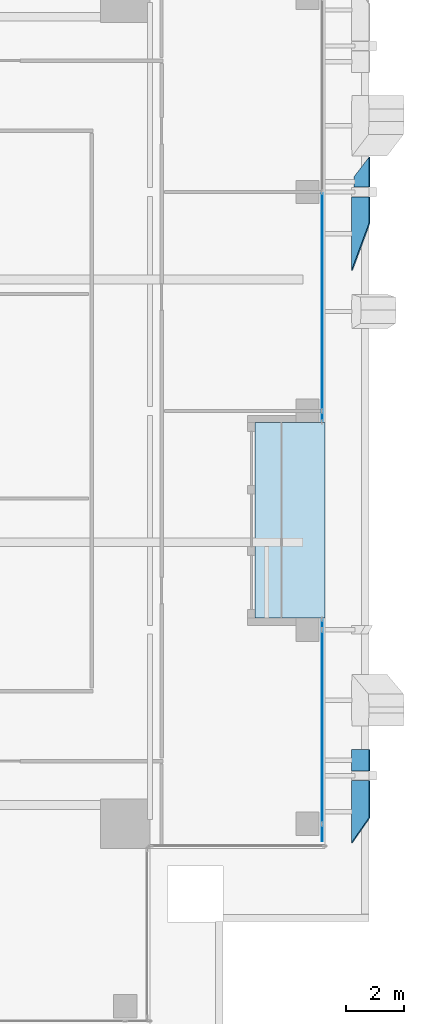
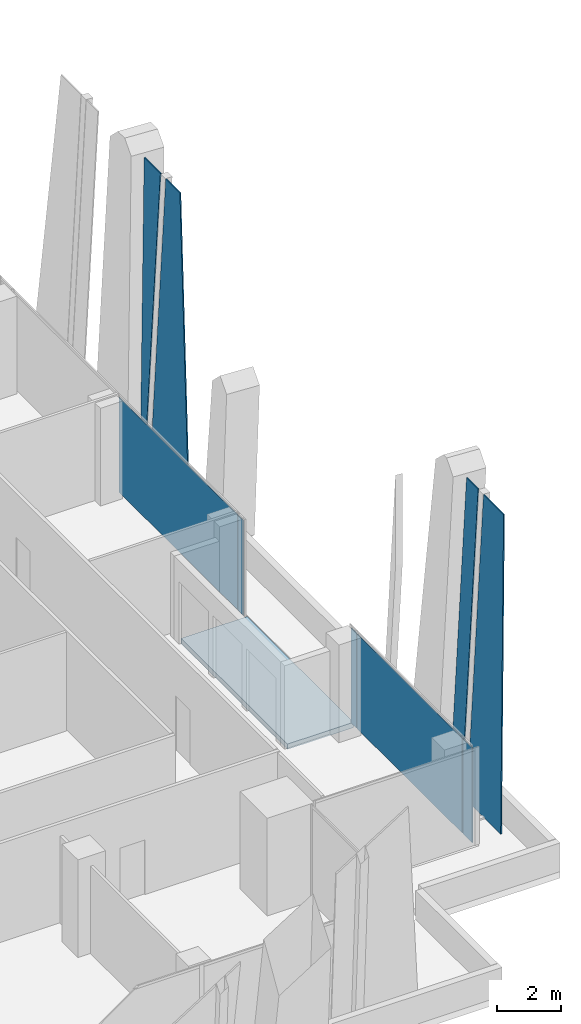
# One storey, part 22 of 32: 9 plates, 1 slab, 2 elements without a shape of their own.
"""IFC4 building model written with IfcOpenShell, lengths in metres."""

import ifcopenshell
import ifcopenshell.guid

model = None  # the IFC model being written
_history = None  # IfcOwnerHistory: only IFC2X3 demands one
_inside = {}  # id of a spatial element -> (the spatial element, [elements in it])
_under = {}  # id of a project, library or spatial element -> (it, [spatial elements below it])
_declared = {}  # id of a project -> (the project, [libraries it declares])
_typed = {}  # id of a type object -> (the type object, [elements of that type])
_made_of = {}  # id of a material, layer set ... -> (it, [elements and type objects made of it])


def new_model(schema):
    """Start an empty IFC model of exactly this schema.

    Asked for "IFC4X3", IfcOpenShell would pick the latest addendum, in which some entities
    have other attributes; the version numbers below select the first issue.
    IFC2X3 requires an IfcOwnerHistory on every rooted entity: one is made here for all.
    """
    global model, _history
    if schema == "IFC4X3":
        model = ifcopenshell.file(schema_version=(4, 3, 0, 0))
    else:
        model = ifcopenshell.file(schema=schema)
    _inside.clear()
    _under.clear()
    _declared.clear()
    _typed.clear()
    _made_of.clear()
    _history = None
    if model.schema == "IFC2X3":
        org = make("IfcOrganization", Name="unknown")
        user = make(
            "IfcPersonAndOrganization",
            ThePerson=make("IfcPerson", FamilyName="unknown"),
            TheOrganization=org,
        )
        app = make(
            "IfcApplication",
            ApplicationDeveloper=org,
            Version="unknown",
            ApplicationFullName="unknown",
            ApplicationIdentifier="unknown",
        )
        _history = make(
            "IfcOwnerHistory",
            OwningUser=user,
            OwningApplication=app,
            ChangeAction="ADDED",
            CreationDate=0,
        )
    return model


def make(cls, **values):
    """One entity of the class cls with the attributes given. An attribute that is None is left unset."""
    return model.create_entity(
        cls, **{name: value for name, value in values.items() if value is not None}
    )


def rooted(cls, **values):
    """An entity with a GlobalId (a new one), such as an element, a storey or a relation."""
    return make(cls, GlobalId=ifcopenshell.guid.new(), OwnerHistory=_history, **values)


def si_unit(unit_type, name, prefix=None):
    """IfcSIUnit, for example si_unit("LENGTHUNIT", "METRE", prefix="MILLI")."""
    return make("IfcSIUnit", UnitType=unit_type, Prefix=prefix, Name=name)


def assignment(units):
    """IfcUnitAssignment: the units of a project."""
    return None if units is None else make("IfcUnitAssignment", Units=units)


def point(xyz):
    """IfcCartesianPoint."""
    return None if xyz is None else make("IfcCartesianPoint", Coordinates=xyz)


def direction(xyz):
    """IfcDirection."""
    return None if xyz is None else make("IfcDirection", DirectionRatios=xyz)


def frame(location, z_axis=None, x_axis=None):
    """IfcAxis2Placement3D, a coordinate frame: its origin and axes. An axis left out is left unset."""
    return make(
        "IfcAxis2Placement3D",
        Location=point(location),
        Axis=direction(z_axis),
        RefDirection=direction(x_axis),
    )


def frame_2d(location, x_axis=None):
    """IfcAxis2Placement2D, a coordinate frame in the plane: its origin and x axis."""
    return make(
        "IfcAxis2Placement2D", Location=point(location), RefDirection=direction(x_axis)
    )


def origin():
    """The frame at (0, 0, 0) with its axes left unset."""
    return frame((0.0, 0.0, 0.0))


def origin_2d():
    """The frame at (0, 0) in the plane with its x axis left unset."""
    return frame_2d((0.0, 0.0))


def place(relative_to, where):
    """IfcLocalPlacement: puts the frame where relative to a parent placement (None: the world)."""
    return make(
        "IfcLocalPlacement", PlacementRelTo=relative_to, RelativePlacement=where
    )


def context(
    kind, dimensions, precision=None, world=None, true_north=None, identifier=None
):
    """IfcGeometricRepresentationContext, for example the 3D "Model" context."""
    return make(
        "IfcGeometricRepresentationContext",
        ContextIdentifier=identifier,
        ContextType=kind,
        CoordinateSpaceDimension=dimensions,
        Precision=precision,
        WorldCoordinateSystem=world,
        TrueNorth=true_north,
    )


def subcontext(parent, identifier, kind, view, scale=None):
    """IfcGeometricRepresentationSubContext, for example "Body" below "Model"."""
    return make(
        "IfcGeometricRepresentationSubContext",
        ContextIdentifier=identifier,
        ContextType=kind,
        ParentContext=parent,
        TargetScale=scale,
        TargetView=view,
    )


def project(units=None, contexts=None):
    """IfcProject with its units and contexts."""
    return rooted(
        "IfcProject",
        Name="project",
        RepresentationContexts=contexts,
        UnitsInContext=assignment(units),
    )


def spatial(cls, under=None, at=None, **own):
    """A site, building, storey or space (cls), placed at a placement, below another one or the project."""
    s = rooted(cls, ObjectPlacement=at, **own)
    if under is not None:
        _under.setdefault(under.id(), (under, []))[1].append(s)
    return s


def polyline(points):
    """IfcPolyline through the points."""
    return make("IfcPolyline", Points=[point(p) for p in points])


def profile(cls, at=None, kind="AREA", **sizes):
    """A parametric profile (cls). Its sizes go by their IFC names, for example OverallWidth=200.0."""
    return make(cls, ProfileType=kind, Position=at, **sizes)


def rectangle(**sizes):
    """IfcRectangleProfileDef."""
    return profile("IfcRectangleProfileDef", **sizes)


def outline(outer, holes=None, kind="AREA"):
    """IfcArbitraryClosedProfileDef: a profile drawn as a closed curve; with holes, ...WithVoids."""
    if holes is None:
        return make("IfcArbitraryClosedProfileDef", ProfileType=kind, OuterCurve=outer)
    return make(
        "IfcArbitraryProfileDefWithVoids",
        ProfileType=kind,
        OuterCurve=outer,
        InnerCurves=holes,
    )


def extrude(swept, where, along, depth):
    """IfcExtrudedAreaSolid: the profile swept, set in the frame where, extruded along a direction by depth."""
    return make(
        "IfcExtrudedAreaSolid",
        SweptArea=swept,
        Position=where,
        ExtrudedDirection=direction(along),
        Depth=depth,
    )


def shape(context_of_items, identifier, shape_type, items):
    """IfcShapeRepresentation: the items that make up one representation, for example the "Body"."""
    return make(
        "IfcShapeRepresentation",
        ContextOfItems=context_of_items,
        RepresentationIdentifier=identifier,
        RepresentationType=shape_type,
        Items=items,
    )


def source(mapping_origin, context_of_items, identifier, shape_type, items):
    """IfcRepresentationMap: a shape defined once, which mapped items show again and again."""
    return make(
        "IfcRepresentationMap",
        MappingOrigin=mapping_origin,
        MappedRepresentation=shape(context_of_items, identifier, shape_type, items),
    )


def transform(
    local_origin,
    x_axis=None,
    y_axis=None,
    z_axis=None,
    scale=None,
    scale2=None,
    scale3=None,
    uniform=True,
):
    """IfcCartesianTransformationOperator3D, or its non-uniform kind. x_axis, y_axis, z_axis: its Axis1, 2, 3."""
    if uniform:
        return make(
            "IfcCartesianTransformationOperator3D",
            Axis1=direction(x_axis),
            Axis2=direction(y_axis),
            LocalOrigin=point(local_origin),
            Scale=scale,
            Axis3=direction(z_axis),
        )
    return make(
        "IfcCartesianTransformationOperator3DnonUniform",
        Axis1=direction(x_axis),
        Axis2=direction(y_axis),
        LocalOrigin=point(local_origin),
        Scale=scale,
        Axis3=direction(z_axis),
        Scale2=scale2,
        Scale3=scale3,
    )


def mapped(mapping_source, mapping_target):
    """IfcMappedItem: shows the shape of a source again, moved by a transform."""
    return make(
        "IfcMappedItem", MappingSource=mapping_source, MappingTarget=mapping_target
    )


def material(Name=None, Category=None):
    """IfcMaterial."""
    return make("IfcMaterial", Name=Name, Category=Category)


def layer(
    of_material, thickness, ventilated=None, Name=None, Category=None, Priority=None
):
    """IfcMaterialLayer: one layer of a wall or slab, of a material (None: an air gap)."""
    return make(
        "IfcMaterialLayer",
        Material=of_material,
        LayerThickness=thickness,
        IsVentilated=ventilated,
        Name=Name,
        Category=Category,
        Priority=Priority,
    )


def layer_set(layers, Name=None):
    """IfcMaterialLayerSet."""
    return make("IfcMaterialLayerSet", MaterialLayers=layers, LayerSetName=Name)


def made_of(thing, what):
    """Note that an element or type object is made of a material, layer set ...; save() writes the relation."""
    if what is not None:
        _made_of.setdefault(what.id(), (what, []))[1].append(thing)
    return thing


def type_object(cls, material=None, **own):
    """A type object (cls), such as IfcWallType, which elements share."""
    return made_of(rooted(cls, **own), material)


def element(
    cls,
    number,
    at=None,
    inside=None,
    cuts=None,
    type_object=None,
    material=None,
    context=None,
    identifier="Body",
    shape_type=None,
    held_by="IfcProductDefinitionShape",
    body=None,
    shapes=None,
    **own,
):
    """One element of the class cls, such as IfcWall. Its Tag is "e" and its number.

    at: its placement. inside: the storey or other place that contains it. cuts: it is an
    opening in that element (IfcRelVoidsElement). A single representation is given by context,
    identifier, shape_type and body (its items); several are given by shapes. held_by: the class
    of the entity that holds the representations. save() writes the other relations.
    """
    e = rooted(cls, Tag="e%d" % number, ObjectPlacement=at, **own)
    if body is not None:
        shapes = [shape(context, identifier, shape_type, body)]
    if shapes is not None:
        e.Representation = make(held_by, Representations=shapes)
    if inside is not None:
        _inside.setdefault(inside.id(), (inside, []))[1].append(e)
    if cuts is not None:
        rooted(
            "IfcRelVoidsElement", RelatingBuildingElement=cuts, RelatedOpeningElement=e
        )
    if type_object is not None:
        _typed.setdefault(type_object.id(), (type_object, []))[1].append(e)
    return made_of(e, material)


def aggregate(whole, parts):
    """IfcRelAggregates: a whole, such as a stair, and the parts it consists of."""
    return rooted("IfcRelAggregates", RelatingObject=whole, RelatedObjects=parts)


def save(model, path):
    """Write the relations noted so far, then the file.

    IfcRelAggregates (storeys below a building ...), IfcRelContainedInSpatialStructure (elements
    in a storey), IfcRelDefinesByType, IfcRelAssociatesMaterial and IfcRelDeclares: one each for
    every whole, place, type object, material and project.
    """
    for whole, parts in _under.values():
        aggregate(whole, parts)
    for where, things in _inside.values():
        rooted(
            "IfcRelContainedInSpatialStructure",
            RelatedElements=things,
            RelatingStructure=where,
        )
    for kind, things in _typed.values():
        rooted("IfcRelDefinesByType", RelatedObjects=things, RelatingType=kind)
    for what, things in _made_of.values():
        rooted("IfcRelAssociatesMaterial", RelatedObjects=things, RelatingMaterial=what)
    for by, libraries in _declared.values():
        rooted("IfcRelDeclares", RelatingContext=by, RelatedDefinitions=libraries)
    model.write(path)


model = new_model("IFC4")

# Units and contexts
model_context = context("Model", 3, precision=1e-05, world=origin(), true_north=direction((0.0, 1.0)))
body_context = subcontext(model_context, "Body", "Model", "MODEL_VIEW")
ifc_project = project(units=[si_unit("LENGTHUNIT", "METRE"), si_unit("AREAUNIT", "SQUARE_METRE"), si_unit("VOLUMEUNIT", "CUBIC_METRE"), si_unit("PLANEANGLEUNIT", "RADIAN"), si_unit("MASSUNIT", "GRAM", prefix="KILO")], contexts=[model_context])

# Site, building, storey
site_placement = place(None, origin())
site = spatial("IfcSite", under=ifc_project, at=site_placement, CompositionType="ELEMENT")
building_placement = place(site_placement, origin())
building = spatial("IfcBuilding", under=site, at=building_placement, Name="Khomas Fold Tower", CompositionType="ELEMENT")
storey_placement = place(building_placement, frame((0.0, 0.0, 282.199951171875)))
storey = spatial("IfcBuildingStorey", under=building, at=storey_placement, Name="L63", CompositionType="ELEMENT", Elevation=282.199951171875)

# Plates
ifc_material_1 = material(Name="Clear laminated glass", Category="glass")
ifc_layer_1 = layer(ifc_material_1, 0.0400390625)
ifc_layer_set_1 = layer_set([ifc_layer_1], Name="Clear laminated glass")
plate_type_1 = type_object("IfcPlateType", Name="SK-Clear laminated glass leaf", PredefinedType="SHEET", material=ifc_layer_set_1)
plate_1_placement = place(storey_placement, frame((48.89990234375, 12.20068359375, 0.0), z_axis=(-0.99862882819, 0.0, 0.052349436554), x_axis=(0.052203236477, 0.074684307669, 0.995839884866)))
element("IfcPlate", 1, at=plate_1_placement, inside=storey, type_object=plate_type_1, Name="OUTER SKIN glass L63 EG098-1", PredefinedType="SHEET", context=body_context, shape_type="SweptSolid", body=[
    extrude(outline(polyline([(0.0, 0.0), (11.598299087691387, 0.0), (11.692639079849204, 1.2596558090997831), (0.15903235632015242, 2.12344761634486), (0.0, 0.0)])), origin(), (0.0, 0.0, -1.0), 0.0400390625),
])
plate_2_placement = place(storey_placement, frame((48.89990234375, 15.39990234375, 0.0), z_axis=(-0.99862882819, 0.0, 0.052349436554), x_axis=(0.0, -1.0, 0.0)))
element("IfcPlate", 2, at=plate_2_placement, inside=storey, type_object=plate_type_1, Name="OUTER SKIN glass L63 EG099-3", PredefinedType="SHEET", context=body_context, shape_type="SweptSolid", body=[
    extrude(outline(polyline([(0.0, 0.0), (0.72998046875, 0.0), (0.72998046875, 11.565907674683308), (0.0, 11.565907674683308), (0.0, 0.0)])), origin(), (0.0, 0.0, -1.0), 0.0400390625),
])
plate_3_placement = place(storey_placement, frame((49.50537109375, 33.438232421875, 11.550048828125), z_axis=(-0.99862882819, 0.0, 0.052349436554), x_axis=(0.0, 1.0, 0.0)))
element("IfcPlate", 3, at=plate_3_placement, inside=storey, type_object=plate_type_1, Name="OUTER SKIN glass L63 EG102-5", PredefinedType="SHEET", context=body_context, shape_type="SweptSolid", body=[
    extrude(outline(polyline([(0.0, 0.0), (0.891845703125, 0.0), (0.891845703125, 11.565907674683308), (-1.63623046875, 11.565907674683308), (0.0, 0.0)])), origin(), (0.0, 0.0, -1.0), 0.0400390625),
])
plate_4_placement = place(storey_placement, frame((48.99169921875, 35.019775390625, 1.75), z_axis=(-0.998629145526, 0.0, 0.052343382631), x_axis=(0.0, -1.0, 0.0)))
element("IfcPlate", 4, at=plate_4_placement, inside=storey, type_object=plate_type_1, Name="OUTER SKIN glass L63 EG103-7", PredefinedType="SHEET", context=body_context, shape_type="SweptSolid", body=[
    extrude(outline(polyline([(0.0, 0.0), (0.349853515625, 0.0), (0.349853515625, 9.813501710847163), (-0.673828125, 9.813501710847163), (0.0, 0.0)])), origin(), (0.0, 0.0, -1.0), 0.0400390625),
])

# Curtain wall, plates
ifc_material_2 = material(Name="Aluminium framed double glazing", Category="aluminium")
curtain_wall_type = type_object("IfcCurtainWallType", Name="SK-Unitised clear-glass wall, upper floors CW3", PredefinedType="NOTDEFINED", material=ifc_material_2)
curtain_wall_1_placement = place(storey_placement, origin())
curtain_wall_1 = element("IfcCurtainWall", 5, at=curtain_wall_1_placement, inside=storey, type_object=curtain_wall_type, Name="CW3 run L63 03-0", PredefinedType="NOTDEFINED")
ifc_material_3 = material(Name="Clear double glazed unit")
ifc_layer_2 = layer(ifc_material_3, 0.028076171875)
ifc_layer_set_2 = layer_set([ifc_layer_2], Name="Clear double glazed unit")
plate_type_2 = type_object("IfcPlateType", Name="SK-Unitised clear-glass wall, upper floors glass panel CW3-P", PredefinedType="CURTAIN_PANEL", material=ifc_layer_set_2)
shared_shape_1 = source(origin(), body_context, "Body", "SweptSolid", [
    extrude(rectangle(XDim=0.574951171875, YDim=0.028076171875, at=origin_2d()), origin(), (0.0, 0.0, 1.0), 3.64990234375),
])
plate_5_placement = place(storey_placement, frame((47.89990234375, 12.53759765625, 0.0), z_axis=(0.0, 0.0, 1.0), x_axis=(0.0, 1.0, 0.0)))
plate_5 = element("IfcPlate", 6, at=plate_5_placement, type_object=plate_type_2, Name="CW3 glass panel 1", PredefinedType="CURTAIN_PANEL", context=body_context, shape_type="MappedRepresentation", body=[
    mapped(shared_shape_1, transform((0.0, 0.0, 0.0))),
])
shared_shape_2 = source(origin(), body_context, "Body", "SweptSolid", [
    extrude(rectangle(XDim=6.60009765625, YDim=0.028076171875, at=origin_2d()), origin(), (0.0, 0.0, 1.0), 3.64990234375),
])
plate_6_placement = place(storey_placement, frame((47.89990234375, 16.175048828125, 0.0), z_axis=(0.0, 0.0, 1.0), x_axis=(0.0, 1.0, 0.0)))
plate_6 = element("IfcPlate", 7, at=plate_6_placement, type_object=plate_type_2, Name="CW3 glass panel 2", PredefinedType="CURTAIN_PANEL", context=body_context, shape_type="MappedRepresentation", body=[
    mapped(shared_shape_2, transform((0.0, 0.0, 0.0))),
])

# Curtain wall, plate
curtain_wall_2_placement = place(storey_placement, origin())
curtain_wall_2 = element("IfcCurtainWall", 8, at=curtain_wall_2_placement, inside=storey, type_object=curtain_wall_type, Name="CW3 run L63 03-1", PredefinedType="NOTDEFINED")
shared_shape_3 = source(origin(), body_context, "Body", "SweptSolid", [
    extrude(rectangle(XDim=7.449951171875, YDim=0.028076171875, at=origin_2d()), origin(), (0.0, 0.0, 1.0), 3.64990234375),
])
plate_7_placement = place(storey_placement, frame((47.89990234375, 30.75, 0.0), z_axis=(0.0, 0.0, 1.0), x_axis=(0.0, 1.0, 0.0)))
plate_7 = element("IfcPlate", 9, at=plate_7_placement, type_object=plate_type_2, Name="CW3 glass panel 2", PredefinedType="CURTAIN_PANEL", context=body_context, shape_type="MappedRepresentation", body=[
    mapped(shared_shape_3, transform((0.0, 0.0, 0.0))),
])

# Plate
shared_shape_4 = source(origin(), body_context, "Body", "SweptSolid", [
    extrude(rectangle(XDim=0.324951171875, YDim=0.028076171875, at=origin_2d()), origin(), (0.0, 0.0, 1.0), 3.64990234375),
])
plate_8_placement = place(storey_placement, frame((47.89990234375, 19.6875, 0.0), z_axis=(0.0, 0.0, 1.0), x_axis=(0.0, 1.0, 0.0)))
plate_8 = element("IfcPlate", 10, at=plate_8_placement, type_object=plate_type_2, Name="CW3 glass panel 3", PredefinedType="CURTAIN_PANEL", context=body_context, shape_type="MappedRepresentation", body=[
    mapped(shared_shape_4, transform((0.0, 0.0, 0.0))),
])

aggregate(curtain_wall_1, [plate_5, plate_6, plate_8])

plate_9_placement = place(storey_placement, frame((47.89990234375, 26.8125, 0.0), z_axis=(0.0, 0.0, 1.0), x_axis=(0.0, 1.0, 0.0)))
plate_9 = element("IfcPlate", 11, at=plate_9_placement, type_object=plate_type_2, Name="CW3 glass panel 1", PredefinedType="CURTAIN_PANEL", context=body_context, shape_type="MappedRepresentation", body=[
    mapped(shared_shape_4, transform((0.0, 0.0, 0.0))),
])

aggregate(curtain_wall_2, [plate_9, plate_7])

# Slab
ifc_material_4 = material(Name="Concrete C40/50", Category="concrete")
ifc_layer_3 = layer(ifc_material_4, 0.205078125)
ifc_layer_set_3 = layer_set([ifc_layer_3], Name="Concrete C40/50")
slab_type = type_object("IfcSlabType", Name="BL-Balcony deck 205", PredefinedType="FLOOR", material=ifc_layer_set_3)
shared_shape_5 = source(origin(), body_context, "Body", "SweptSolid", [
    extrude(outline(polyline([(45.60009765625, 19.89990234375), (48.0, 19.89990234375), (48.0, 26.60009765625), (45.60009765625, 26.60009765625), (45.60009765625, 19.89990234375)])), origin(), (0.0, 0.0, 1.0), 0.205078125),
])
slab_placement = place(storey_placement, frame((0.0, 0.0, -0.25)))
element("IfcSlab", 12, at=slab_placement, inside=storey, type_object=slab_type, Name="Balcony deck BAL-L63-E2", PredefinedType="FLOOR", context=body_context, shape_type="MappedRepresentation", body=[
    mapped(shared_shape_5, transform((0.0, 0.0, 0.0))),
])

save(model, "model.ifc")
